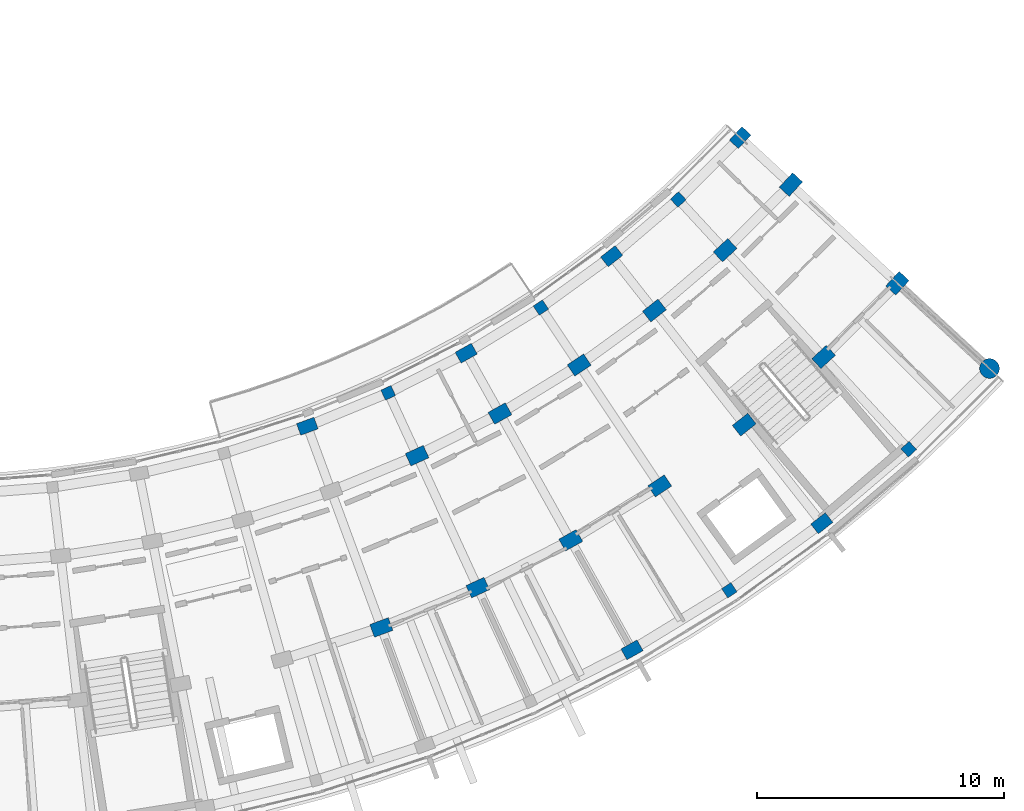
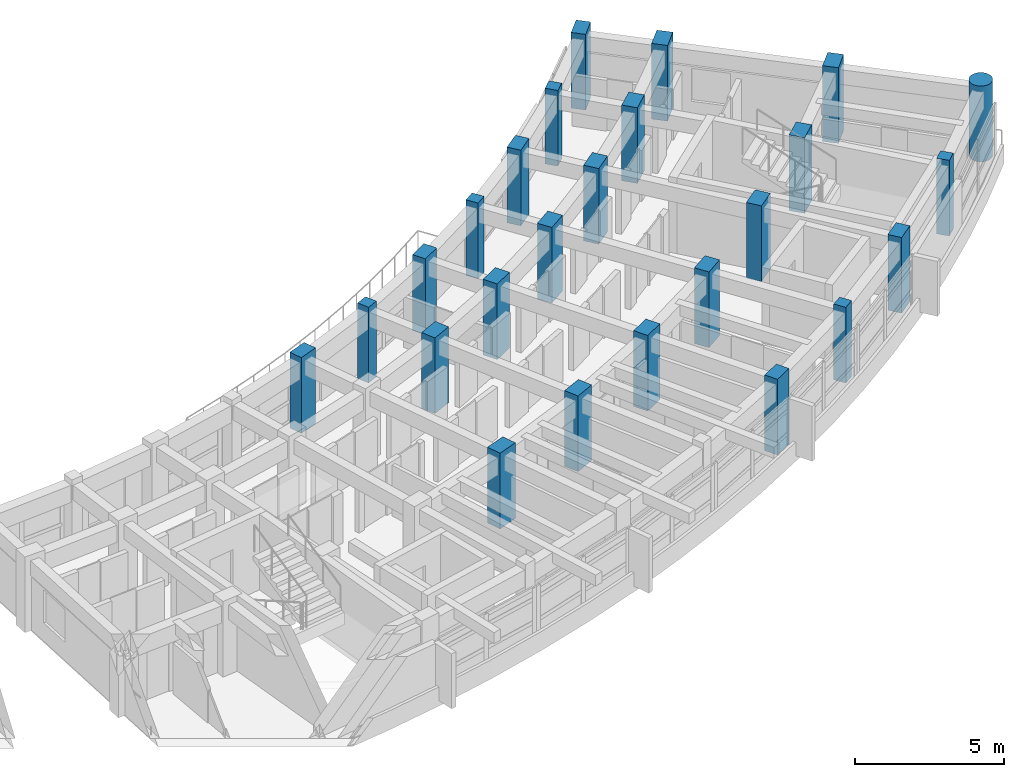
# One storey, part 2 of 56: 25 columns.
"""IFC4 building model written with IfcOpenShell, lengths in metres."""

from ifc_helpers import new_model, si_unit, direction, frame, origin, origin_2d, place, context, subcontext, project, spatial, rectangle, circle, extrude, material, material_profile, profile_set, type_object, element, save


model = new_model("IFC4")

# Units and contexts
model_context = context("Model", 3, precision=1e-05, world=origin(), true_north=direction((0.0, 1.0)))
body_context = subcontext(model_context, "Body", "Model", "MODEL_VIEW")
ifc_project = project(units=[si_unit("LENGTHUNIT", "METRE"), si_unit("AREAUNIT", "SQUARE_METRE"), si_unit("VOLUMEUNIT", "CUBIC_METRE"), si_unit("PLANEANGLEUNIT", "RADIAN"), si_unit("MASSUNIT", "GRAM", prefix="KILO")], contexts=[model_context])

# Site, building, storey
site_placement = place(None, origin())
site = spatial("IfcSite", under=ifc_project, at=site_placement, CompositionType="ELEMENT")
building_placement = place(site_placement, origin())
building = spatial("IfcBuilding", under=site, at=building_placement, Name="Zimvara Arc Housing Community", CompositionType="ELEMENT")
storey_placement = place(building_placement, frame((0.0, 0.0, 17.39990234375)))
storey = spatial("IfcBuildingStorey", under=building, at=storey_placement, Name="L05", CompositionType="ELEMENT", Elevation=17.39990234375)

# Columns
ifc_material_1 = material(Name="Concrete C40/50", Category="concrete")
ifc_material_profile_1 = material_profile(ifc_material_1, rectangle(XDim=0.449951171875, YDim=0.449951171875, at=origin_2d()), Name="RC 450x450")
ifc_profile_set_1 = profile_set([ifc_material_profile_1], Name="Concrete C40/50")
column_type_1 = type_object("IfcColumnType", Name="COL-RC-450x450", PredefinedType="COLUMN", material=ifc_profile_set_1)
for number, where, z_axis, x_axis, name in (
    (1, (144.834228515625, 68.8681640625, 0.0), (0.0, 0.0, 1.0), (0.417867073801, -0.908508177527, 0.0), "col:blkD:L05:b5:r0"),
    (2, (151.0146484375, 72.322265625, 0.0), (0.0, 0.0, 1.0), (0.554844427448, -0.83195412213, 0.0), "col:blkD:L05:b7:r0"),
    (3, (158.649169921875, 60.87451171875, 0.0), (0.0, 0.0, 1.0), (0.554844427448, -0.83195412213, 0.0), "col:blkD:L05:b7:r3"),
    (4, (156.57861328125, 76.70068359375, 0.0), (0.0, 0.0, 1.0), (0.678159669868, -0.73491459515, 0.0), "col:blkD:L05:b9:r0"),
    (5, (165.91015625, 66.588134765625, 0.0), (0.0, 0.0, 1.0), (0.678159669868, -0.73491459515, 0.0), "col:blkD:L05:b9:r3"),
):
    element("IfcColumn", number, at=place(storey_placement, frame(where, z_axis=z_axis, x_axis=x_axis)), inside=storey, type_object=column_type_1, Name=name, PredefinedType="COLUMN", context=body_context, shape_type="SweptSolid", body=[
        extrude(rectangle(XDim=0.449951171875, YDim=0.449951171875, at=origin_2d()), origin(), (0.0, 0.0, 1.0), 3.10009765625),
    ])
ifc_material_2 = material(Name="Concrete C40/50", Category="concrete")
ifc_material_profile_2 = material_profile(ifc_material_2, rectangle(XDim=0.5, YDim=0.75, at=origin_2d()), Name="RC 500x750")
ifc_profile_set_2 = profile_set([ifc_material_profile_2], Name="Concrete C40/50")
column_type_2 = type_object("IfcColumnType", Name="COL-RC-500x750", PredefinedType="COLUMN", material=ifc_profile_set_2)
for number, where, z_axis, x_axis, name in (
    (6, (141.559814453125, 67.51513671875, 0.0), (0.0, 0.0, 1.0), (0.345298198999, -0.93849302276, 0.0), "col:blkD:L05:b4:r0"),
    (7, (147.9921875, 70.473876953125, 0.0), (0.0, 0.0, 1.0), (0.487859659139, -0.87292207727, 0.0), "col:blkD:L05:b6:r0"),
    (8, (154.705078125, 58.46240234375, 0.0), (0.0, 0.0, 1.0), (0.487859659139, -0.87292207727, 0.0), "col:blkD:L05:b6:r3"),
    (9, (153.882568359375, 74.402099609375, 0.0), (0.0, 0.0, 1.0), (0.618408395358, -0.785856893175, 0.0), "col:blkD:L05:b8:r0"),
    (10, (162.391845703125, 63.5888671875, 0.0), (0.0, 0.0, 1.0), (0.618408395358, -0.785856893175, 0.0), "col:blkD:L05:b8:r3"),
    (11, (159.0859375, 79.20361328125, 0.0), (0.0, 0.0, 1.0), (0.733729864503, -0.679441304262, 0.0), "col:blkD:L05:b10:r0"),
):
    element("IfcColumn", number, at=place(storey_placement, frame(where, z_axis=z_axis, x_axis=x_axis)), inside=storey, type_object=column_type_2, Name=name, PredefinedType="COLUMN", context=body_context, shape_type="SweptSolid", body=[
        extrude(rectangle(XDim=0.5, YDim=0.75, at=origin_2d()), origin(), (0.0, 0.0, 1.0), 3.10009765625),
    ])
ifc_material_3 = material(Name="Concrete C40/50", Category="concrete")
ifc_material_profile_3 = material_profile(ifc_material_3, rectangle(XDim=0.550048828125, YDim=0.800048828125, at=origin_2d()), Name="RC 550x800")
ifc_profile_set_3 = profile_set([ifc_material_profile_3], Name="Concrete C40/50")
column_type_3 = type_object("IfcColumnType", Name="COL-RC-550x800", PredefinedType="COLUMN", material=ifc_profile_set_3)
for number, where, z_axis, x_axis, name in (
    (12, (144.55712890625, 59.369140625, 0.0), (0.0, 0.0, 1.0), (0.345298198999, -0.93849302276, 0.0), "col:blkD:L05:b4:r2"),
    (13, (146.004150390625, 66.32421875, 0.0), (0.0, 0.0, 1.0), (0.417867073801, -0.908508177527, 0.0), "col:blkD:L05:b5:r1"),
    (14, (148.461181640625, 60.982177734375, 0.0), (0.0, 0.0, 1.0), (0.417867073801, -0.908508177527, 0.0), "col:blkD:L05:b5:r2"),
    (15, (149.358154296875, 68.029541015625, 0.0), (0.0, 0.0, 1.0), (0.487859659139, -0.87292207727, 0.0), "col:blkD:L05:b6:r1"),
    (16, (152.226806640625, 62.896728515625, 0.0), (0.0, 0.0, 1.0), (0.487859659139, -0.87292207727, 0.0), "col:blkD:L05:b6:r2"),
    (17, (152.568115234375, 69.99267578125, 0.0), (0.0, 0.0, 1.0), (0.554844427448, -0.83195412213, 0.0), "col:blkD:L05:b7:r1"),
    (18, (155.83056640625, 65.100830078125, 0.0), (0.0, 0.0, 1.0), (0.554844427448, -0.83195412213, 0.0), "col:blkD:L05:b7:r2"),
    (19, (155.614013671875, 72.20166015625, 0.0), (0.0, 0.0, 1.0), (0.618408395358, -0.785856893175, 0.0), "col:blkD:L05:b8:r1"),
    (20, (159.25048828125, 67.580810546875, 0.0), (0.0, 0.0, 1.0), (0.618408395358, -0.785856893175, 0.0), "col:blkD:L05:b8:r2"),
    (21, (158.477294921875, 74.642822265625, 0.0), (0.0, 0.0, 1.0), (0.678159669868, -0.73491459515, 0.0), "col:blkD:L05:b9:r1"),
    (22, (162.465087890625, 70.321533203125, 0.0), (0.0, 0.0, 1.0), (0.678159669868, -0.73491459515, 0.0), "col:blkD:L05:b9:r2"),
    (23, (161.140380859375, 77.30126953125, 0.0), (0.0, 0.0, 1.0), (0.733729864503, -0.679441304262, 0.0), "col:blkD:L05:b10:r1"),
    (24, (165.45458984375, 73.30615234375, 0.0), (0.0, 0.0, 1.0), (0.733729864503, -0.679441304262, 0.0), "col:blkD:L05:b10:r2"),
):
    element("IfcColumn", number, at=place(storey_placement, frame(where, z_axis=z_axis, x_axis=x_axis)), inside=storey, type_object=column_type_3, Name=name, PredefinedType="COLUMN", context=body_context, shape_type="SweptSolid", body=[
        extrude(rectangle(XDim=0.550048828125, YDim=0.800048828125, at=origin_2d()), origin(), (0.0, 0.0, 1.0), 3.10009765625),
    ])
ifc_material_4 = material(Name="Concrete C40/50", Category="concrete")
ifc_material_profile_4 = material_profile(ifc_material_4, circle(Radius=0.39990234375, at=origin_2d()), Name="RC D800")
ifc_profile_set_4 = profile_set([ifc_material_profile_4], Name="Concrete C40/50")
column_type_4 = type_object("IfcColumnType", Name="COL-RC-D700", PredefinedType="COLUMN", material=ifc_profile_set_4)
column_placement = place(storey_placement, frame((169.18212890625, 69.8544921875, 0.0), z_axis=(0.0, 0.0, 1.0), x_axis=(0.733729864503, -0.679441304262, 0.0)))
element("IfcColumn", 25, at=column_placement, inside=storey, type_object=column_type_4, Name="col:blkD:L05:b10:r3", PredefinedType="COLUMN", context=body_context, shape_type="SweptSolid", body=[
    extrude(circle(Radius=0.39990234375, at=origin_2d()), origin(), (0.0, 0.0, 1.0), 3.10009765625),
])

save(model, "model.ifc")
